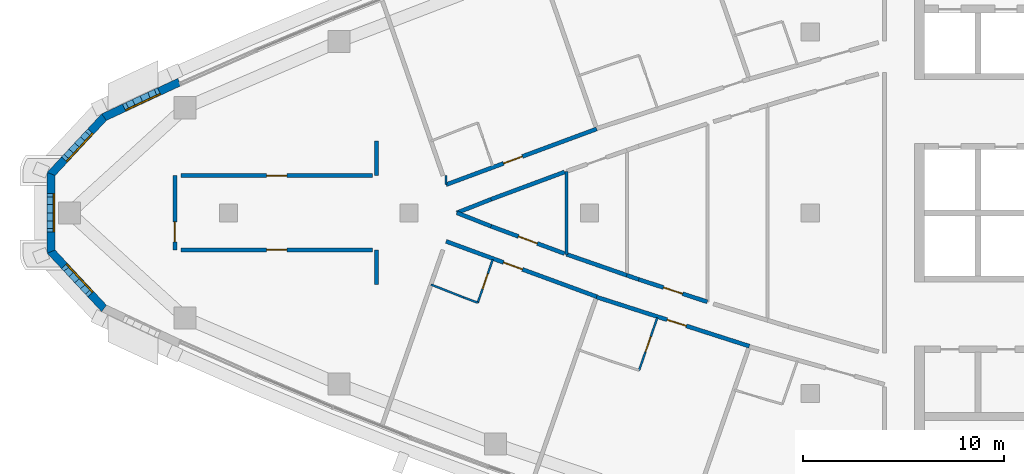
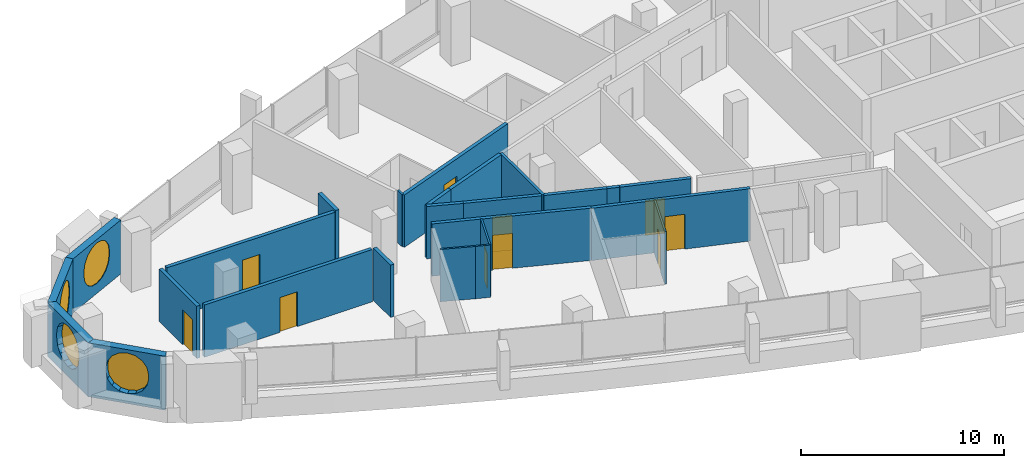
# One storey, part 7 of 14: 25 walls, 10 doors, 4 windows, 14 openings.
"""IFC4 building model written with IfcOpenShell, lengths in metres."""

from ifc_helpers import new_model, si_unit, direction, frame, frame_2d, origin, place, context, subcontext, project, spatial, polyline, rectangle, outline, extrude, material, layer, layer_set, type_object, element, fill, save


model = new_model("IFC4")

# Units and contexts
model_context = context("Model", 3, precision=1e-05, world=origin(), true_north=direction((0.0, 1.0)))
body_context = subcontext(model_context, "Body", "Model", "MODEL_VIEW")
ifc_project = project(units=[si_unit("LENGTHUNIT", "METRE"), si_unit("AREAUNIT", "SQUARE_METRE"), si_unit("VOLUMEUNIT", "CUBIC_METRE"), si_unit("PLANEANGLEUNIT", "RADIAN"), si_unit("MASSUNIT", "GRAM", prefix="KILO")], contexts=[model_context])

# Site, building, storey
site_placement = place(None, origin())
site = spatial("IfcSite", under=ifc_project, at=site_placement, CompositionType="ELEMENT")
building_placement = place(site_placement, origin())
building = spatial("IfcBuilding", under=site, at=building_placement, Name="Ostrand Prow Hotel Tower", CompositionType="ELEMENT")
storey_placement = place(building_placement, frame((0.0, 0.0, 299.85009765625)))
storey = spatial("IfcBuildingStorey", under=building, at=storey_placement, Name="L76", CompositionType="ELEMENT", Elevation=299.85009765625)

# Wall, opening, door
ifc_material_1 = material(Name="Plasterboard partition")
ifc_layer_1 = layer(ifc_material_1, 0.10009765625)
ifc_layer_set_1 = layer_set([ifc_layer_1], Name="Plasterboard partition")
wall_type_1 = type_object("IfcWallType", Name="Partition 100 bathroom wall", PredefinedType="PARTITIONING", material=ifc_layer_set_1)
wall_1_placement = place(storey_placement, frame((29.174560546875, -2.328369140625, 0.0), z_axis=(0.0, 0.0, 1.0), x_axis=(-0.327718024288, -0.944775579996, 0.0)))
wall_1 = element("IfcWall", 1, at=wall_1_placement, inside=storey, type_object=wall_type_1, Name="BATHROOM WALL", PredefinedType="PARTITIONING", context=body_context, shape_type="SweptSolid", body=[
    extrude(rectangle(XDim=2.27734375, YDim=0.10009765625, at=frame_2d((1.138671875, 0.0))), origin(), (0.0, 0.0, 1.0), 3.14990234375),
])
opening_1_placement = place(wall_1_placement, frame((0.75, 0.0, 0.0)))
opening_1 = element("IfcOpeningElement", 2, at=opening_1_placement, cuts=wall_1, Name="Opening D2", PredefinedType="OPENING", context=body_context, shape_type="SweptSolid", body=[
    extrude(rectangle(XDim=0.800048828125, YDim=2.10009765625, at=frame_2d((0.39990234375, 1.050048828125))), frame((0.0, 0.06005859375, 0.0), z_axis=(0.0, -1.0, 0.0), x_axis=(1.0, 0.0, 0.0)), (0.0, 0.0, 1.0), 0.1201171875),
])
ifc_material_2 = material(Name="Timber door leaf", Category="wood")
door_type_1 = type_object("IfcDoorType", Name="Bathroom door 800", OperationType="SINGLE_SWING_LEFT", PredefinedType="DOOR", material=ifc_material_2)
door_1_placement = place(opening_1_placement, origin())
door_1 = element("IfcDoor", 3, at=door_1_placement, inside=storey, type_object=door_type_1, Name="DOOR", OperationType="SINGLE_SWING_LEFT", OverallHeight=2.10009765625, OverallWidth=0.800048828125, PredefinedType="DOOR", context=body_context, shape_type="SweptSolid", body=[
    extrude(rectangle(XDim=0.800048828125, YDim=2.10009765625, at=frame_2d((0.39990234375, 1.050048828125))), frame((0.0, 0.02490234375, 0.0), z_axis=(0.0, -1.0, 0.0), x_axis=(1.0, 0.0, 0.0)), (0.0, 0.0, 1.0), 0.050048828125),
])
fill(opening_1, door_1)

# Walls
wall_2_placement = place(storey_placement, frame((28.42822265625, -4.47998046875, 0.0), z_axis=(0.0, 0.0, 1.0), x_axis=(-0.937514267289, 0.347946833049, 0.0)))
element("IfcWall", 4, at=wall_2_placement, inside=storey, type_object=wall_type_1, Name="BATHROOM WALL", PredefinedType="PARTITIONING", context=body_context, shape_type="SweptSolid", body=[
    extrude(rectangle(XDim=0.74169921875, YDim=0.10009765625, at=frame_2d((0.370849609375, 0.0))), origin(), (0.0, 0.0, 1.0), 3.14990234375),
])
wall_3_placement = place(storey_placement, frame((27.73291015625, -4.221923828125, 0.0), z_axis=(0.0, 0.0, 1.0), x_axis=(-0.930254925629, 0.366913850028, 0.0)))
element("IfcWall", 5, at=wall_3_placement, inside=storey, type_object=wall_type_1, Name="BATHROOM WALL", PredefinedType="PARTITIONING", context=body_context, shape_type="SweptSolid", body=[
    extrude(rectangle(XDim=1.760009765625, YDim=0.10009765625, at=frame_2d((0.8798828125, 0.0))), origin(), (0.0, 0.0, 1.0), 3.14990234375),
])

# Wall, opening, door
wall_4_placement = place(storey_placement, frame((37.3779296875, -5.225830078125, 0.0), z_axis=(0.0, 0.0, 1.0), x_axis=(-0.327702248101, -0.944781052197, 0.0)))
wall_4 = element("IfcWall", 6, at=wall_4_placement, inside=storey, type_object=wall_type_1, Name="BATHROOM WALL", PredefinedType="PARTITIONING", context=body_context, shape_type="SweptSolid", body=[
    extrude(rectangle(XDim=2.77734375, YDim=0.10009765625, at=frame_2d((1.388671875, 0.0))), origin(), (0.0, 0.0, 1.0), 3.14990234375),
])
opening_2_placement = place(wall_4_placement, frame((1.0, 0.0, 0.0)))
opening_2 = element("IfcOpeningElement", 7, at=opening_2_placement, cuts=wall_4, Name="Opening D2", PredefinedType="OPENING", context=body_context, shape_type="SweptSolid", body=[
    extrude(rectangle(XDim=0.800048828125, YDim=2.10009765625, at=frame_2d((0.39990234375, 1.050048828125))), frame((0.0, 0.06005859375, 0.0), z_axis=(0.0, -1.0, 0.0), x_axis=(1.0, 0.0, 0.0)), (0.0, 0.0, 1.0), 0.1201171875),
])
door_2_placement = place(opening_2_placement, origin())
door_2 = element("IfcDoor", 8, at=door_2_placement, inside=storey, type_object=door_type_1, Name="DOOR", OperationType="SINGLE_SWING_LEFT", OverallHeight=2.10009765625, OverallWidth=0.800048828125, PredefinedType="DOOR", context=body_context, shape_type="SweptSolid", body=[
    extrude(rectangle(XDim=0.800048828125, YDim=2.10009765625, at=frame_2d((0.39990234375, 1.050048828125))), frame((0.0, 0.02490234375, 0.0), z_axis=(0.0, -1.0, 0.0), x_axis=(1.0, 0.0, 0.0)), (0.0, 0.0, 1.0), 0.050048828125),
])
fill(opening_2, door_2)

# Walls
wall_5_placement = place(storey_placement, frame((26.8564453125, 1.4091796875, 0.0), z_axis=(0.0, 0.0, 1.0), x_axis=(-0.003863105832, 0.999992538179, 0.0)))
element("IfcWall", 9, at=wall_5_placement, inside=storey, type_object=wall_type_1, Name="BATHROOM WALL", PredefinedType="PARTITIONING", context=body_context, shape_type="SweptSolid", body=[
    extrude(rectangle(XDim=0.4423828125, YDim=0.10009765625, at=frame_2d((0.22119140625, 0.0))), origin(), (0.0, 0.0, 1.0), 3.14990234375),
])
ifc_material_3 = material(Name="Plasterboard partition")
ifc_layer_2 = layer(ifc_material_3, 0.14990234375)
ifc_layer_set_2 = layer_set([ifc_layer_2], Name="Plasterboard partition")
wall_type_2 = type_object("IfcWallType", Name="Partition 150 room partition", PredefinedType="PARTITIONING", material=ifc_layer_set_2)
wall_6_placement = place(storey_placement, frame((32.85498046875, -2.06787109375, 0.0), z_axis=(0.0, 0.0, 1.0), x_axis=(0.0, 1.0, 0.0)))
element("IfcWall", 10, at=wall_6_placement, inside=storey, type_object=wall_type_2, Name="ROOM PARTITION", PredefinedType="PARTITIONING", context=body_context, shape_type="SweptSolid", body=[
    extrude(rectangle(XDim=4.1357421875, YDim=0.14990234375, at=frame_2d((2.06787109375, 0.0))), origin(), (0.0, 0.0, 1.0), 3.14990234375),
])

# Wall, opening, door
ifc_material_4 = material(Name="Plasterboard partition")
ifc_layer_3 = layer(ifc_material_4, 0.199951171875)
ifc_layer_set_3 = layer_set([ifc_layer_3], Name="Plasterboard partition")
wall_type_3 = type_object("IfcWallType", Name="Partition 200 corridor wall", PredefinedType="PARTITIONING", material=ifc_layer_set_3)
wall_7_placement = place(storey_placement, frame((13.63720703125, 1.85009765625, 0.0), z_axis=(0.0, 0.0, 1.0), x_axis=(1.0, 0.0, 0.0)))
wall_7 = element("IfcWall", 11, at=wall_7_placement, inside=storey, type_object=wall_type_3, Name="CORRIDOR WALL", PredefinedType="PARTITIONING", context=body_context, shape_type="SweptSolid", body=[
    extrude(rectangle(XDim=9.548583984375, YDim=0.199951171875, at=frame_2d((4.7744140625, 0.0))), origin(), (0.0, 0.0, 1.0), 3.14990234375),
])
opening_3_placement = place(wall_7_placement, frame((4.2744140625, 0.0, 0.0)))
opening_3 = element("IfcOpeningElement", 12, at=opening_3_placement, cuts=wall_7, Name="Opening D1", PredefinedType="OPENING", context=body_context, shape_type="SweptSolid", body=[
    extrude(rectangle(XDim=1.0, YDim=2.10009765625, at=frame_2d((0.5, 1.050048828125))), frame((0.0, 0.10986328125, 0.0), z_axis=(0.0, -1.0, 0.0), x_axis=(1.0, 0.0, 0.0)), (0.0, 0.0, 1.0), 0.219970703125),
])
ifc_material_5 = material(Name="Timber door leaf", Category="wood")
door_type_2 = type_object("IfcDoorType", Name="Guest room door 1000", OperationType="SINGLE_SWING_LEFT", PredefinedType="DOOR", material=ifc_material_5)
door_3_placement = place(opening_3_placement, origin())
door_3 = element("IfcDoor", 13, at=door_3_placement, inside=storey, type_object=door_type_2, Name="DOOR", OperationType="SINGLE_SWING_LEFT", OverallHeight=2.10009765625, OverallWidth=1.0, PredefinedType="DOOR", context=body_context, shape_type="SweptSolid", body=[
    extrude(rectangle(XDim=1.0, YDim=2.10009765625, at=frame_2d((0.5, 1.050048828125))), frame((0.0, 0.02490234375, 0.0), z_axis=(0.0, -1.0, 0.0), x_axis=(1.0, 0.0, 0.0)), (0.0, 0.0, 1.0), 0.050048828125),
])
fill(opening_3, door_3)

wall_8_placement = place(storey_placement, frame((13.63720703125, -1.85009765625, 0.0), z_axis=(0.0, 0.0, 1.0), x_axis=(1.0, 0.0, 0.0)))
wall_8 = element("IfcWall", 14, at=wall_8_placement, inside=storey, type_object=wall_type_3, Name="CORRIDOR WALL", PredefinedType="PARTITIONING", context=body_context, shape_type="SweptSolid", body=[
    extrude(rectangle(XDim=9.548583984375, YDim=0.199951171875, at=frame_2d((4.7744140625, 0.0))), origin(), (0.0, 0.0, 1.0), 3.14990234375),
])
opening_4_placement = place(wall_8_placement, frame((4.2744140625, 0.0, 0.0)))
opening_4 = element("IfcOpeningElement", 15, at=opening_4_placement, cuts=wall_8, Name="Opening D1R", PredefinedType="OPENING", context=body_context, shape_type="SweptSolid", body=[
    extrude(rectangle(XDim=1.0, YDim=2.10009765625, at=frame_2d((0.5, 1.050048828125))), frame((0.0, 0.10986328125, 0.0), z_axis=(0.0, -1.0, 0.0), x_axis=(1.0, 0.0, 0.0)), (0.0, 0.0, 1.0), 0.219970703125),
])
ifc_material_6 = material(Name="Timber door leaf", Category="wood")
door_type_3 = type_object("IfcDoorType", Name="Guest room door 1000 right", OperationType="SINGLE_SWING_RIGHT", PredefinedType="DOOR", material=ifc_material_6)
door_4_placement = place(opening_4_placement, origin())
door_4 = element("IfcDoor", 16, at=door_4_placement, inside=storey, type_object=door_type_3, Name="DOOR", OperationType="SINGLE_SWING_RIGHT", OverallHeight=2.10009765625, OverallWidth=1.0, PredefinedType="DOOR", context=body_context, shape_type="SweptSolid", body=[
    extrude(rectangle(XDim=1.0, YDim=2.10009765625, at=frame_2d((0.5, 1.050048828125))), frame((0.0, 0.02490234375, 0.0), z_axis=(0.0, -1.0, 0.0), x_axis=(1.0, 0.0, 0.0)), (0.0, 0.0, 1.0), 0.050048828125),
])
fill(opening_4, door_4)

wall_9_placement = place(storey_placement, frame((26.85009765625, 1.4013671875, 0.0), z_axis=(0.0, 0.0, 1.0), x_axis=(0.937815361849, 0.34713447982, 0.0)))
wall_9 = element("IfcWall", 17, at=wall_9_placement, inside=storey, type_object=wall_type_3, Name="CORRIDOR WALL", PredefinedType="PARTITIONING", context=body_context, shape_type="SweptSolid", body=[
    extrude(rectangle(XDim=8.00146484375, YDim=0.199951171875, at=frame_2d((4.000732421875, 0.0))), origin(), (0.0, 0.0, 1.0), 3.14990234375),
])
opening_5_placement = place(wall_9_placement, frame((3.050048828125, 0.0, 0.0)))
opening_5 = element("IfcOpeningElement", 18, at=opening_5_placement, cuts=wall_9, Name="Opening D1", PredefinedType="OPENING", context=body_context, shape_type="SweptSolid", body=[
    extrude(rectangle(XDim=1.0, YDim=2.10009765625, at=frame_2d((0.5, 1.050048828125))), frame((0.0, 0.10986328125, 0.0), z_axis=(0.0, -1.0, 0.0), x_axis=(1.0, 0.0, 0.0)), (0.0, 0.0, 1.0), 0.219970703125),
])
door_5_placement = place(opening_5_placement, origin())
door_5 = element("IfcDoor", 19, at=door_5_placement, inside=storey, type_object=door_type_2, Name="DOOR", OperationType="SINGLE_SWING_LEFT", OverallHeight=2.10009765625, OverallWidth=1.0, PredefinedType="DOOR", context=body_context, shape_type="SweptSolid", body=[
    extrude(rectangle(XDim=1.0, YDim=2.10009765625, at=frame_2d((0.5, 1.050048828125))), frame((0.0, 0.02490234375, 0.0), z_axis=(0.0, -1.0, 0.0), x_axis=(1.0, 0.0, 0.0)), (0.0, 0.0, 1.0), 0.050048828125),
])
fill(opening_5, door_5)

wall_10_placement = place(storey_placement, frame((26.85009765625, -1.4228515625, 0.0), z_axis=(0.0, 0.0, 1.0), x_axis=(0.938687309179, -0.344769684843, 0.0)))
wall_10 = element("IfcWall", 20, at=wall_10_placement, inside=storey, type_object=wall_type_3, Name="CORRIDOR WALL", PredefinedType="PARTITIONING", context=body_context, shape_type="SweptSolid", body=[
    extrude(rectangle(XDim=7.994140625, YDim=0.199951171875, at=frame_2d((3.9970703125, 0.0))), origin(), (0.0, 0.0, 1.0), 3.14990234375),
])
opening_6_placement = place(wall_10_placement, frame((3.050048828125, 0.0, 0.0)))
opening_6 = element("IfcOpeningElement", 21, at=opening_6_placement, cuts=wall_10, Name="Opening D1", PredefinedType="OPENING", context=body_context, shape_type="SweptSolid", body=[
    extrude(rectangle(XDim=1.0, YDim=2.10009765625, at=frame_2d((0.5, 1.050048828125))), frame((0.0, 0.10986328125, 0.0), z_axis=(0.0, -1.0, 0.0), x_axis=(1.0, 0.0, 0.0)), (0.0, 0.0, 1.0), 0.219970703125),
])
door_6_placement = place(opening_6_placement, origin())
door_6 = element("IfcDoor", 22, at=door_6_placement, inside=storey, type_object=door_type_2, Name="DOOR", OperationType="SINGLE_SWING_LEFT", OverallHeight=2.10009765625, OverallWidth=1.0, PredefinedType="DOOR", context=body_context, shape_type="SweptSolid", body=[
    extrude(rectangle(XDim=1.0, YDim=2.10009765625, at=frame_2d((0.5, 1.050048828125))), frame((0.0, 0.02490234375, 0.0), z_axis=(0.0, -1.0, 0.0), x_axis=(1.0, 0.0, 0.0)), (0.0, 0.0, 1.0), 0.050048828125),
])
fill(opening_6, door_6)

wall_11_placement = place(storey_placement, frame((34.347412109375, -4.197998046875, 0.0), z_axis=(0.0, 0.0, 1.0), x_axis=(0.951959334907, -0.306224467805, 0.0)))
wall_11 = element("IfcWall", 23, at=wall_11_placement, inside=storey, type_object=wall_type_3, Name="CORRIDOR WALL", PredefinedType="PARTITIONING", context=body_context, shape_type="SweptSolid", body=[
    extrude(rectangle(XDim=8.002197265625, YDim=0.199951171875, at=frame_2d((4.0009765625, 0.0))), origin(), (0.0, 0.0, 1.0), 3.14990234375),
])
opening_7_placement = place(wall_11_placement, frame((3.699951171875, 0.0, 0.0)))
opening_7 = element("IfcOpeningElement", 24, at=opening_7_placement, cuts=wall_11, Name="Opening D1", PredefinedType="OPENING", context=body_context, shape_type="SweptSolid", body=[
    extrude(rectangle(XDim=1.0, YDim=2.10009765625, at=frame_2d((0.5, 1.050048828125))), frame((0.0, 0.10986328125, 0.0), z_axis=(0.0, -1.0, 0.0), x_axis=(1.0, 0.0, 0.0)), (0.0, 0.0, 1.0), 0.219970703125),
])
door_7_placement = place(opening_7_placement, origin())
door_7 = element("IfcDoor", 25, at=door_7_placement, inside=storey, type_object=door_type_2, Name="DOOR", OperationType="SINGLE_SWING_LEFT", OverallHeight=2.10009765625, OverallWidth=1.0, PredefinedType="DOOR", context=body_context, shape_type="SweptSolid", body=[
    extrude(rectangle(XDim=1.0, YDim=2.10009765625, at=frame_2d((0.5, 1.050048828125))), frame((0.0, 0.02490234375, 0.0), z_axis=(0.0, -1.0, 0.0), x_axis=(1.0, 0.0, 0.0)), (0.0, 0.0, 1.0), 0.050048828125),
])
fill(opening_7, door_7)

wall_12_placement = place(storey_placement, frame((32.759765625, -2.034912109375, 0.0), z_axis=(0.0, 0.0, 1.0), x_axis=(-0.937460178932, 0.348092534992, 0.0)))
wall_12 = element("IfcWall", 26, at=wall_12_placement, inside=storey, type_object=wall_type_3, Name="CORRIDOR WALL", PredefinedType="PARTITIONING", context=body_context, shape_type="SweptSolid", body=[
    extrude(rectangle(XDim=3.912841796875, YDim=0.199951171875, at=frame_2d((1.95654296875, 0.0))), origin(), (0.0, 0.0, 1.0), 3.14990234375),
])
opening_8_placement = place(wall_12_placement, frame((1.45654296875, 0.0, 0.0)))
opening_8 = element("IfcOpeningElement", 27, at=opening_8_placement, cuts=wall_12, Name="Opening D1R", PredefinedType="OPENING", context=body_context, shape_type="SweptSolid", body=[
    extrude(rectangle(XDim=1.0, YDim=2.10009765625, at=frame_2d((0.5, 1.050048828125))), frame((0.0, 0.10986328125, 0.0), z_axis=(0.0, -1.0, 0.0), x_axis=(1.0, 0.0, 0.0)), (0.0, 0.0, 1.0), 0.219970703125),
])
door_8_placement = place(opening_8_placement, origin())
door_8 = element("IfcDoor", 28, at=door_8_placement, inside=storey, type_object=door_type_3, Name="DOOR", OperationType="SINGLE_SWING_RIGHT", OverallHeight=2.10009765625, OverallWidth=1.0, PredefinedType="DOOR", context=body_context, shape_type="SweptSolid", body=[
    extrude(rectangle(XDim=1.0, YDim=2.10009765625, at=frame_2d((0.5, 1.050048828125))), frame((0.0, 0.02490234375, 0.0), z_axis=(0.0, -1.0, 0.0), x_axis=(1.0, 0.0, 0.0)), (0.0, 0.0, 1.0), 0.050048828125),
])
fill(opening_8, door_8)

# Walls
for number, where, z_axis, x_axis, name in (
    (29, (29.091552734375, -0.6728515625, 0.0), (0.0, 0.0, 1.0), (-0.930265251482, 0.366887669302, 0.0), "CORRIDOR WALL"),
    (30, (27.385498046875, 0.0, 0.0), (0.0, 0.0, 1.0), (0.930265251482, 0.366887669302, 0.0), "CORRIDOR WALL"),
):
    element("IfcWall", number, at=place(storey_placement, frame(where, z_axis=z_axis, x_axis=x_axis)), inside=storey, type_object=wall_type_3, Name=name, PredefinedType="PARTITIONING", context=body_context, shape_type="SweptSolid", body=[
        extrude(rectangle(XDim=1.833984375, YDim=0.199951171875, at=frame_2d((0.9169921875, 0.0))), origin(), (0.0, 0.0, 1.0), 3.14990234375),
    ])
wall_13_placement = place(storey_placement, frame((29.091552734375, 0.6728515625, 0.0), z_axis=(0.0, 0.0, 1.0), x_axis=(0.937460178932, 0.348092534992, 0.0)))
element("IfcWall", 31, at=wall_13_placement, inside=storey, type_object=wall_type_3, Name="CORRIDOR WALL", PredefinedType="PARTITIONING", context=body_context, shape_type="SweptSolid", body=[
    extrude(rectangle(XDim=3.912841796875, YDim=0.199951171875, at=frame_2d((1.95654296875, 0.0))), origin(), (0.0, 0.0, 1.0), 3.14990234375),
])
wall_14_placement = place(storey_placement, frame((35.85498046875, -3.11376953125, 0.0), z_axis=(0.0, 0.0, 1.0), x_axis=(-0.944260188635, 0.329200085296, 0.0)))
element("IfcWall", 32, at=wall_14_placement, inside=storey, type_object=wall_type_3, Name="CORRIDOR WALL", PredefinedType="PARTITIONING", context=body_context, shape_type="SweptSolid", body=[
    extrude(rectangle(XDim=3.177001953125, YDim=0.199951171875, at=frame_2d((1.58837890625, 0.0))), origin(), (0.0, 0.0, 1.0), 3.14990234375),
])

# Wall, opening, door
wall_15_placement = place(storey_placement, frame((39.865966796875, -4.435302734375, 0.0), z_axis=(0.0, 0.0, 1.0), x_axis=(-0.950718067733, 0.310056697535, 0.0)))
wall_15 = element("IfcWall", 33, at=wall_15_placement, inside=storey, type_object=wall_type_3, Name="CORRIDOR WALL", PredefinedType="PARTITIONING", context=body_context, shape_type="SweptSolid", body=[
    extrude(rectangle(XDim=3.588134765625, YDim=0.199951171875, at=frame_2d((1.7939453125, 0.0))), origin(), (0.0, 0.0, 1.0), 3.14990234375),
])
opening_9_placement = place(wall_15_placement, frame((1.2939453125, 0.0, 0.0)))
opening_9 = element("IfcOpeningElement", 34, at=opening_9_placement, cuts=wall_15, Name="Opening D1R", PredefinedType="OPENING", context=body_context, shape_type="SweptSolid", body=[
    extrude(rectangle(XDim=1.0, YDim=2.10009765625, at=frame_2d((0.5, 1.050048828125))), frame((0.0, 0.10986328125, 0.0), z_axis=(0.0, -1.0, 0.0), x_axis=(1.0, 0.0, 0.0)), (0.0, 0.0, 1.0), 0.219970703125),
])
door_9_placement = place(opening_9_placement, origin())
door_9 = element("IfcDoor", 35, at=door_9_placement, inside=storey, type_object=door_type_3, Name="DOOR", OperationType="SINGLE_SWING_RIGHT", OverallHeight=2.10009765625, OverallWidth=1.0, PredefinedType="DOOR", context=body_context, shape_type="SweptSolid", body=[
    extrude(rectangle(XDim=1.0, YDim=2.10009765625, at=frame_2d((0.5, 1.050048828125))), frame((0.0, 0.02490234375, 0.0), z_axis=(0.0, -1.0, 0.0), x_axis=(1.0, 0.0, 0.0)), (0.0, 0.0, 1.0), 0.050048828125),
])
fill(opening_9, door_9)

# Walls
wall_16_placement = place(storey_placement, frame((36.45458984375, -3.32275390625, 0.0), z_axis=(0.0, 0.0, 1.0), x_axis=(-0.944289130413, 0.329117058483, 0.0)))
element("IfcWall", 36, at=wall_16_placement, inside=storey, type_object=wall_type_3, Name="CORRIDOR WALL", PredefinedType="PARTITIONING", context=body_context, shape_type="SweptSolid", body=[
    extrude(rectangle(XDim=0.635009765625, YDim=0.199951171875, at=frame_2d((0.3173828125, 0.0))), origin(), (0.0, 0.0, 1.0), 3.14990234375),
])
wall_17_placement = place(storey_placement, frame((23.3857421875, 3.580322265625, 0.0), z_axis=(0.0, 0.0, 1.0), x_axis=(0.0, -1.0, 0.0)))
element("IfcWall", 37, at=wall_17_placement, inside=storey, type_object=wall_type_3, Name="CORRIDOR WALL", PredefinedType="PARTITIONING", context=body_context, shape_type="SweptSolid", body=[
    extrude(rectangle(XDim=1.725341796875, YDim=0.199951171875, at=frame_2d((0.86279296875, 0.0))), origin(), (0.0, 0.0, 1.0), 3.14990234375),
])
wall_18_placement = place(storey_placement, frame((23.3857421875, -1.85498046875, 0.0), z_axis=(0.0, 0.0, 1.0), x_axis=(0.0, -1.0, 0.0)))
element("IfcWall", 38, at=wall_18_placement, inside=storey, type_object=wall_type_3, Name="CORRIDOR WALL", PredefinedType="PARTITIONING", context=body_context, shape_type="SweptSolid", body=[
    extrude(rectangle(XDim=1.71533203125, YDim=0.199951171875, at=frame_2d((0.857666015625, 0.0))), origin(), (0.0, 0.0, 1.0), 3.14990234375),
])

# Wall, opening, door
ifc_material_7 = material(Name="Plasterboard partition")
ifc_layer_4 = layer(ifc_material_7, 0.199951171875)
ifc_layer_set_4 = layer_set([ifc_layer_4], Name="Plasterboard partition")
wall_type_4 = type_object("IfcWallType", Name="Partition 200 lounge wall", PredefinedType="PARTITIONING", material=ifc_layer_set_4)
wall_19_placement = place(storey_placement, frame((13.337158203125, -1.85009765625, 0.0), z_axis=(0.0, 0.0, 1.0), x_axis=(0.0, 1.0, 0.0)))
wall_19 = element("IfcWall", 39, at=wall_19_placement, inside=storey, type_object=wall_type_4, Name="LOUNGE WALL", PredefinedType="PARTITIONING", context=body_context, shape_type="SweptSolid", body=[
    extrude(rectangle(XDim=3.7001953125, YDim=0.199951171875, at=frame_2d((1.85009765625, 0.0))), origin(), (0.0, 0.0, 1.0), 3.14990234375),
])
opening_10_placement = place(wall_19_placement, frame((0.39990234375, 0.0, 0.0)))
opening_10 = element("IfcOpeningElement", 40, at=opening_10_placement, cuts=wall_19, Name="Opening D1", PredefinedType="OPENING", context=body_context, shape_type="SweptSolid", body=[
    extrude(rectangle(XDim=1.0, YDim=2.10009765625, at=frame_2d((0.5, 1.050048828125))), frame((0.0, 0.10986328125, 0.0), z_axis=(0.0, -1.0, 0.0), x_axis=(1.0, 0.0, 0.0)), (0.0, 0.0, 1.0), 0.219970703125),
])
door_10_placement = place(opening_10_placement, origin())
door_10 = element("IfcDoor", 41, at=door_10_placement, inside=storey, type_object=door_type_2, Name="DOOR", OperationType="SINGLE_SWING_LEFT", OverallHeight=2.10009765625, OverallWidth=1.0, PredefinedType="DOOR", context=body_context, shape_type="SweptSolid", body=[
    extrude(rectangle(XDim=1.0, YDim=2.10009765625, at=frame_2d((0.5, 1.050048828125))), frame((0.0, 0.02490234375, 0.0), z_axis=(0.0, -1.0, 0.0), x_axis=(1.0, 0.0, 0.0)), (0.0, 0.0, 1.0), 0.050048828125),
])
fill(opening_10, door_10)

# Wall, opening, window
ifc_material_8 = material(Name="Precast concrete C40/50", Category="concrete")
ifc_layer_5 = layer(ifc_material_8, 0.39990234375)
ifc_layer_set_5 = layer_set([ifc_layer_5], Name="Precast concrete C40/50")
wall_type_5 = type_object("IfcWallType", Name="Stone-faced precast wall 400 mm", PredefinedType="NOTDEFINED", material=ifc_layer_set_5)
wall_20_placement = place(storey_placement, frame((13.55859375, 6.5146484375, 0.0), z_axis=(0.0, 0.0, 1.0), x_axis=(-0.906485602396, -0.42223672584, 0.0)))
wall_20 = element("IfcWall", 42, at=wall_20_placement, inside=storey, type_object=wall_type_5, Name="Stone-faced wall prow 1", PredefinedType="NOTDEFINED", context=body_context, shape_type="SweptSolid", body=[
    extrude(outline(polyline([(0.0, -0.199951171875), (4.1806640625, -0.199951171875), (4.1025390625, 0.199951171875), (0.0, 0.199951171875), (0.0, -0.199951171875)])), origin(), (0.0, 0.0, 1.0), 3.25),
])
opening_11_placement = place(wall_20_placement, frame((0.970947265625, 0.0, 0.60009765625)))
opening_11 = element("IfcOpeningElement", 43, at=opening_11_placement, cuts=wall_20, Name="Opening WP1", PredefinedType="OPENING", context=body_context, shape_type="SweptSolid", body=[
    extrude(outline(polyline([(0.0, 1.35009765625), (0.083740234375, 1.77099609375), (0.322265625, 2.127685546875), (0.678955078125, 2.3662109375), (1.10009765625, 2.449951171875), (1.52099609375, 2.3662109375), (1.877685546875, 2.127685546875), (2.1162109375, 1.77099609375), (2.199951171875, 1.35009765625), (2.199951171875, 1.10009765625), (2.1162109375, 0.678955078125), (1.877685546875, 0.322265625), (1.52099609375, 0.083740234375), (1.10009765625, 0.0), (0.678955078125, 0.083740234375), (0.322265625, 0.322265625), (0.083740234375, 0.678955078125), (0.0, 1.099853515625), (0.0, 1.35009765625)])), frame((0.0, 0.2099609375, 0.0), z_axis=(0.0, -1.0, 0.0), x_axis=(1.0, 0.0, 0.0)), (0.0, 0.0, 1.0), 0.419921875),
])
ifc_material_9 = material(Name="Insulated glass in bronze frame", Category="glass")
window_type = type_object("IfcWindowType", Name="Round-ended prow window 2200x2450", PartitioningType="SINGLE_PANEL", PredefinedType="WINDOW", material=ifc_material_9)
window_1_placement = place(opening_11_placement, origin())
window_1 = element("IfcWindow", 44, at=window_1_placement, inside=storey, type_object=window_type, Name="Window prow 1.1", OverallHeight=2.449951171875, OverallWidth=2.199951171875, PartitioningType="SINGLE_PANEL", PredefinedType="WINDOW", context=body_context, shape_type="SweptSolid", body=[
    extrude(outline(polyline([(0.0, 1.35009765625), (0.083740234375, 1.77099609375), (0.322265625, 2.127685546875), (0.678955078125, 2.3662109375), (1.10009765625, 2.449951171875), (1.52099609375, 2.3662109375), (1.877685546875, 2.127685546875), (2.1162109375, 1.77099609375), (2.199951171875, 1.35009765625), (2.199951171875, 1.10009765625), (2.1162109375, 0.678955078125), (1.877685546875, 0.322265625), (1.52099609375, 0.083740234375), (1.10009765625, 0.0), (0.678955078125, 0.083740234375), (0.322265625, 0.322265625), (0.083740234375, 0.678955078125), (0.0, 1.099853515625), (0.0, 1.35009765625)])), frame((0.0, 0.169921875, 0.0), z_axis=(0.0, -1.0, 0.0), x_axis=(1.0, 0.0, 0.0)), (0.0, 0.0, 1.0), 0.06005859375),
])
fill(opening_11, window_1)

wall_21_placement = place(storey_placement, frame((9.80419921875, 4.765869140625, 0.0), z_axis=(0.0, 0.0, 1.0), x_axis=(-0.6815467277, -0.73177459505, 0.0)))
wall_21 = element("IfcWall", 45, at=wall_21_placement, inside=storey, type_object=wall_type_5, Name="Stone-faced wall prow 2", PredefinedType="NOTDEFINED", context=body_context, shape_type="SweptSolid", body=[
    extrude(outline(polyline([(-0.0390625, -0.199951171875), (3.94775390625, -0.199951171875), (3.79052734375, 0.199951171875), (0.0390625, 0.199951171875), (-0.0390625, -0.199951171875)])), origin(), (0.0, 0.0, 1.0), 3.25),
])
opening_12_placement = place(wall_21_placement, frame((0.834716796875, 0.0, 0.60009765625)))
opening_12 = element("IfcOpeningElement", 46, at=opening_12_placement, cuts=wall_21, Name="Opening WP1", PredefinedType="OPENING", context=body_context, shape_type="SweptSolid", body=[
    extrude(outline(polyline([(0.0, 1.35009765625), (0.083740234375, 1.77099609375), (0.322265625, 2.127685546875), (0.678955078125, 2.3662109375), (1.10009765625, 2.449951171875), (1.52099609375, 2.3662109375), (1.877685546875, 2.127685546875), (2.1162109375, 1.77099609375), (2.199951171875, 1.35009765625), (2.199951171875, 1.10009765625), (2.1162109375, 0.678955078125), (1.877685546875, 0.322265625), (1.52099609375, 0.083740234375), (1.10009765625, 0.0), (0.678955078125, 0.083740234375), (0.322265625, 0.322265625), (0.083740234375, 0.678955078125), (0.0, 1.099853515625), (0.0, 1.35009765625)])), frame((0.0, 0.2099609375, 0.0), z_axis=(0.0, -1.0, 0.0), x_axis=(1.0, 0.0, 0.0)), (0.0, 0.0, 1.0), 0.419921875),
])
window_2_placement = place(opening_12_placement, origin())
window_2 = element("IfcWindow", 47, at=window_2_placement, inside=storey, type_object=window_type, Name="Window prow 2.1", OverallHeight=2.449951171875, OverallWidth=2.199951171875, PartitioningType="SINGLE_PANEL", PredefinedType="WINDOW", context=body_context, shape_type="SweptSolid", body=[
    extrude(outline(polyline([(0.0, 1.35009765625), (0.083740234375, 1.77099609375), (0.322265625, 2.127685546875), (0.678955078125, 2.3662109375), (1.10009765625, 2.449951171875), (1.52099609375, 2.3662109375), (1.877685546875, 2.127685546875), (2.1162109375, 1.77099609375), (2.199951171875, 1.35009765625), (2.199951171875, 1.10009765625), (2.1162109375, 0.678955078125), (1.877685546875, 0.322265625), (1.52099609375, 0.083740234375), (1.10009765625, 0.0), (0.678955078125, 0.083740234375), (0.322265625, 0.322265625), (0.083740234375, 0.678955078125), (0.0, 1.099853515625), (0.0, 1.35009765625)])), frame((0.0, 0.169921875, 0.0), z_axis=(0.0, -1.0, 0.0), x_axis=(1.0, 0.0, 0.0)), (0.0, 0.0, 1.0), 0.06005859375),
])
fill(opening_12, window_2)

wall_22_placement = place(storey_placement, frame((7.167236328125, 1.9345703125, 0.0), z_axis=(0.0, 0.0, 1.0), x_axis=(0.0, -1.0, 0.0)))
wall_22 = element("IfcWall", 48, at=wall_22_placement, inside=storey, type_object=wall_type_5, Name="Stone-faced wall prow 3", PredefinedType="NOTDEFINED", context=body_context, shape_type="SweptSolid", body=[
    extrude(outline(polyline([(-0.07861328125, -0.199951171875), (3.94775390625, -0.199951171875), (3.79052734375, 0.199951171875), (0.07861328125, 0.199951171875), (-0.07861328125, -0.199951171875)])), origin(), (0.0, 0.0, 1.0), 3.25),
])
opening_13_placement = place(wall_22_placement, frame((0.834716796875, 0.0, 0.60009765625)))
opening_13 = element("IfcOpeningElement", 49, at=opening_13_placement, cuts=wall_22, Name="Opening WP1", PredefinedType="OPENING", context=body_context, shape_type="SweptSolid", body=[
    extrude(outline(polyline([(0.0, 1.35009765625), (0.083740234375, 1.77099609375), (0.322265625, 2.127685546875), (0.678955078125, 2.3662109375), (1.10009765625, 2.449951171875), (1.52099609375, 2.3662109375), (1.877685546875, 2.127685546875), (2.1162109375, 1.77099609375), (2.199951171875, 1.35009765625), (2.199951171875, 1.10009765625), (2.1162109375, 0.678955078125), (1.877685546875, 0.322265625), (1.52099609375, 0.083740234375), (1.10009765625, 0.0), (0.678955078125, 0.083740234375), (0.322265625, 0.322265625), (0.083740234375, 0.678955078125), (0.0, 1.099853515625), (0.0, 1.35009765625)])), frame((0.0, 0.2099609375, 0.0), z_axis=(0.0, -1.0, 0.0), x_axis=(1.0, 0.0, 0.0)), (0.0, 0.0, 1.0), 0.419921875),
])
window_3_placement = place(opening_13_placement, origin())
window_3 = element("IfcWindow", 50, at=window_3_placement, inside=storey, type_object=window_type, Name="Window prow 3.1", OverallHeight=2.449951171875, OverallWidth=2.199951171875, PartitioningType="SINGLE_PANEL", PredefinedType="WINDOW", context=body_context, shape_type="SweptSolid", body=[
    extrude(outline(polyline([(0.0, 1.35009765625), (0.083740234375, 1.77099609375), (0.322265625, 2.127685546875), (0.678955078125, 2.3662109375), (1.10009765625, 2.449951171875), (1.52099609375, 2.3662109375), (1.877685546875, 2.127685546875), (2.1162109375, 1.77099609375), (2.199951171875, 1.35009765625), (2.199951171875, 1.10009765625), (2.1162109375, 0.678955078125), (1.877685546875, 0.322265625), (1.52099609375, 0.083740234375), (1.10009765625, 0.0), (0.678955078125, 0.083740234375), (0.322265625, 0.322265625), (0.083740234375, 0.678955078125), (0.0, 1.099853515625), (0.0, 1.35009765625)])), frame((0.0, 0.169921875, 0.0), z_axis=(0.0, -1.0, 0.0), x_axis=(1.0, 0.0, 0.0)), (0.0, 0.0, 1.0), 0.06005859375),
])
fill(opening_13, window_3)

wall_23_placement = place(storey_placement, frame((7.167236328125, -1.9345703125, 0.0), z_axis=(0.0, 0.0, 1.0), x_axis=(0.6815467277, -0.73177459505, 0.0)))
wall_23 = element("IfcWall", 51, at=wall_23_placement, inside=storey, type_object=wall_type_5, Name="Stone-faced wall prow 4", PredefinedType="NOTDEFINED", context=body_context, shape_type="SweptSolid", body=[
    extrude(outline(polyline([(-0.07861328125, -0.199951171875), (3.908203125, -0.199951171875), (3.830078125, 0.199951171875), (0.07861328125, 0.199951171875), (-0.07861328125, -0.199951171875)])), origin(), (0.0, 0.0, 1.0), 3.25),
])
opening_14_placement = place(wall_23_placement, frame((0.834716796875, 0.0, 0.60009765625)))
opening_14 = element("IfcOpeningElement", 52, at=opening_14_placement, cuts=wall_23, Name="Opening WP1", PredefinedType="OPENING", context=body_context, shape_type="SweptSolid", body=[
    extrude(outline(polyline([(0.0, 1.35009765625), (0.083740234375, 1.77099609375), (0.322265625, 2.127685546875), (0.678955078125, 2.3662109375), (1.10009765625, 2.449951171875), (1.52099609375, 2.3662109375), (1.877685546875, 2.127685546875), (2.1162109375, 1.77099609375), (2.199951171875, 1.35009765625), (2.199951171875, 1.10009765625), (2.1162109375, 0.678955078125), (1.877685546875, 0.322265625), (1.52099609375, 0.083740234375), (1.10009765625, 0.0), (0.678955078125, 0.083740234375), (0.322265625, 0.322265625), (0.083740234375, 0.678955078125), (0.0, 1.099853515625), (0.0, 1.35009765625)])), frame((0.0, 0.2099609375, 0.0), z_axis=(0.0, -1.0, 0.0), x_axis=(1.0, 0.0, 0.0)), (0.0, 0.0, 1.0), 0.419921875),
])
window_4_placement = place(opening_14_placement, origin())
window_4 = element("IfcWindow", 53, at=window_4_placement, inside=storey, type_object=window_type, Name="Window prow 4.1", OverallHeight=2.449951171875, OverallWidth=2.199951171875, PartitioningType="SINGLE_PANEL", PredefinedType="WINDOW", context=body_context, shape_type="SweptSolid", body=[
    extrude(outline(polyline([(0.0, 1.35009765625), (0.083740234375, 1.77099609375), (0.322265625, 2.127685546875), (0.678955078125, 2.3662109375), (1.10009765625, 2.449951171875), (1.52099609375, 2.3662109375), (1.877685546875, 2.127685546875), (2.1162109375, 1.77099609375), (2.199951171875, 1.35009765625), (2.199951171875, 1.10009765625), (2.1162109375, 0.678955078125), (1.877685546875, 0.322265625), (1.52099609375, 0.083740234375), (1.10009765625, 0.0), (0.678955078125, 0.083740234375), (0.322265625, 0.322265625), (0.083740234375, 0.678955078125), (0.0, 1.099853515625), (0.0, 1.35009765625)])), frame((0.0, 0.169921875, 0.0), z_axis=(0.0, -1.0, 0.0), x_axis=(1.0, 0.0, 0.0)), (0.0, 0.0, 1.0), 0.06005859375),
])
fill(opening_14, window_4)

save(model, "model.ifc")
